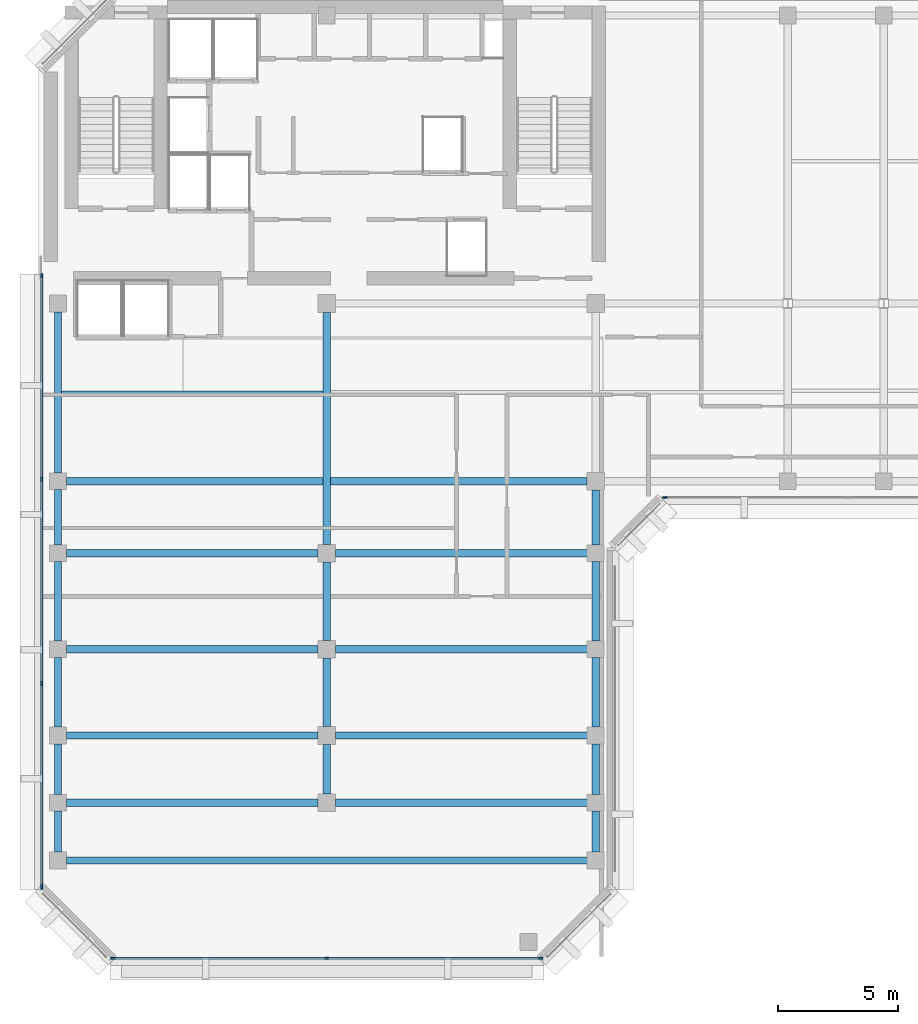
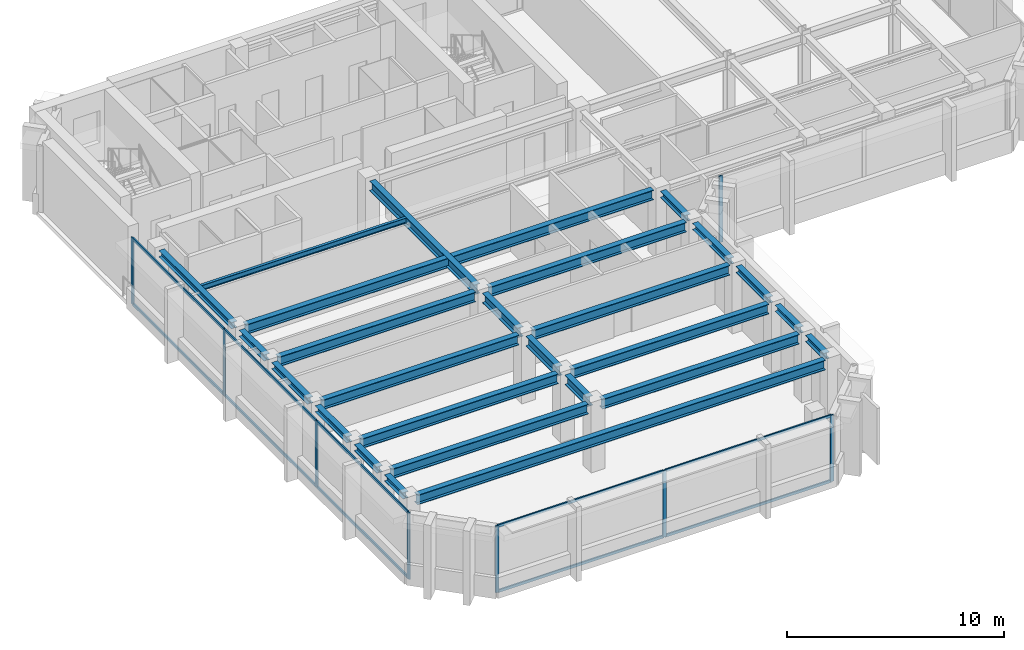
# One storey, part 2 of 11: 26 beams, 18 members, 3 elements without a shape of their own.
"""IFC4 building model written with IfcOpenShell, lengths in metres."""

from ifc_helpers import new_model, si_unit, direction, frame, origin, origin_2d, place, context, subcontext, project, spatial, rectangle, i_section, extrude, material, layer, layer_set, material_profile, profile_set, type_object, element, aggregate, save


model = new_model("IFC4")

# Units and contexts
model_context = context("Model", 3, precision=1e-05, world=origin(), true_north=direction((0.0, 1.0)))
body_context = subcontext(model_context, "Body", "Model", "MODEL_VIEW")
ifc_project = project(units=[si_unit("LENGTHUNIT", "METRE"), si_unit("AREAUNIT", "SQUARE_METRE"), si_unit("VOLUMEUNIT", "CUBIC_METRE"), si_unit("PLANEANGLEUNIT", "RADIAN"), si_unit("MASSUNIT", "GRAM", prefix="KILO")], contexts=[model_context])

# Site, building, storey
site_placement = place(None, origin())
site = spatial("IfcSite", under=ifc_project, at=site_placement, CompositionType="ELEMENT")
building_placement = place(site_placement, origin())
building = spatial("IfcBuilding", under=site, at=building_placement, Name="Kefirva Bronze Tower", CompositionType="ELEMENT")
storey_placement = place(building_placement, frame((0.0, 0.0, 319.77001953125)))
storey = spatial("IfcBuildingStorey", under=building, at=storey_placement, Name="L78", CompositionType="ELEMENT", Elevation=319.77001953125)

# Curtain wall, members
ifc_material_1 = material(Name="Bronze anodised aluminium", Category="aluminium")
ifc_layer = layer(ifc_material_1, 0.179931640625, Name="Bronze anodised aluminium")
ifc_layer_set = layer_set([ifc_layer], Name="Bronze anodised aluminium")
curtain_wall_type = type_object("IfcCurtainWallType", Name="Unitised Bronze Ribbon Curtain Wall Zone 4", PredefinedType="USERDEFINED", material=ifc_layer_set)
curtain_wall_1_placement = place(storey_placement, origin())
curtain_wall_1 = element("IfcCurtainWall", 1, at=curtain_wall_1_placement, inside=storey, type_object=curtain_wall_type, Name="L78 Curtain Wall 1", ObjectType="UNITISED CURTAIN WALL", PredefinedType="USERDEFINED")
ifc_material_profile_1 = material_profile(ifc_material_1, rectangle(XDim=0.074951171875, YDim=0.179931640625, at=origin_2d()), Name="ALU 75x180")
ifc_profile_set_1 = profile_set([ifc_material_profile_1], Name="Bronze anodised aluminium")
member_type_1 = type_object("IfcMemberType", Name="Bronze Mullion 75x180", PredefinedType="MULLION", material=ifc_profile_set_1)
member_1_placement = place(storey_placement, frame((3.092529296875, 5.919921875, 0.0), z_axis=(0.0, 0.0, 1.0), x_axis=(0.0, 1.0, 0.0)))
member_1 = element("IfcMember", 2, at=member_1_placement, type_object=member_type_1, Name="CW-04 mullion 1", PredefinedType="MULLION", context=body_context, shape_type="SweptSolid", body=[
    extrude(rectangle(XDim=0.074951171875, YDim=0.179931640625, at=origin_2d()), origin(), (0.0, 0.0, 1.0), 3.739990234375),
])
member_2_placement = place(storey_placement, frame((12.0, 5.919921875, 0.0), z_axis=(0.0, 0.0, 1.0), x_axis=(0.0, 1.0, 0.0)))
member_2 = element("IfcMember", 3, at=member_2_placement, type_object=member_type_1, Name="CW-04 mullion 2", PredefinedType="MULLION", context=body_context, shape_type="SweptSolid", body=[
    extrude(rectangle(XDim=0.074951171875, YDim=0.179931640625, at=origin_2d()), origin(), (0.0, 0.0, 1.0), 3.739990234375),
])
member_3_placement = place(storey_placement, frame((20.907470703125, 5.919921875, 0.0), z_axis=(0.0, 0.0, 1.0), x_axis=(0.0, 1.0, 0.0)))
member_3 = element("IfcMember", 4, at=member_3_placement, type_object=member_type_1, Name="CW-04 mullion 3", PredefinedType="MULLION", context=body_context, shape_type="SweptSolid", body=[
    extrude(rectangle(XDim=0.074951171875, YDim=0.179931640625, at=origin_2d()), origin(), (0.0, 0.0, 1.0), 3.739990234375),
])

# Curtain wall, member
curtain_wall_2_placement = place(storey_placement, origin())
curtain_wall_2 = element("IfcCurtainWall", 5, at=curtain_wall_2_placement, inside=storey, type_object=curtain_wall_type, Name="L78 Curtain Wall 2", ObjectType="UNITISED CURTAIN WALL", PredefinedType="USERDEFINED")
member_4_placement = place(storey_placement, frame((26.092529296875, 25.1201171875, 0.0), z_axis=(0.0, 0.0, 1.0), x_axis=(0.0, 1.0, 0.0)))
member_4 = element("IfcMember", 6, at=member_4_placement, type_object=member_type_1, Name="CW-04 mullion 1", PredefinedType="MULLION", context=body_context, shape_type="SweptSolid", body=[
    extrude(rectangle(XDim=0.074951171875, YDim=0.179931640625, at=origin_2d()), origin(), (0.0, 0.0, 1.0), 3.739990234375),
])
aggregate(curtain_wall_2, [member_4])

# Curtain wall, members
curtain_wall_3_placement = place(storey_placement, origin())
curtain_wall_3 = element("IfcCurtainWall", 7, at=curtain_wall_3_placement, inside=storey, type_object=curtain_wall_type, Name="L78 Curtain Wall 5", ObjectType="UNITISED CURTAIN WALL", PredefinedType="USERDEFINED")
member_5_placement = place(storey_placement, frame((0.1201171875, 34.357421875, 0.0), z_axis=(0.0, 0.0, 1.0), x_axis=(1.0, 0.0, 0.0)))
member_5 = element("IfcMember", 8, at=member_5_placement, type_object=member_type_1, Name="CW-04 mullion 1", PredefinedType="MULLION", context=body_context, shape_type="SweptSolid", body=[
    extrude(rectangle(XDim=0.074951171875, YDim=0.179931640625, at=origin_2d()), origin(), (0.0, 0.0, 1.0), 3.739990234375),
])
member_6_placement = place(storey_placement, frame((0.1201171875, 25.881591796875, 0.0), z_axis=(0.0, 0.0, 1.0), x_axis=(1.0, 0.0, 0.0)))
member_6 = element("IfcMember", 9, at=member_6_placement, type_object=member_type_1, Name="CW-04 mullion 2", PredefinedType="MULLION", context=body_context, shape_type="SweptSolid", body=[
    extrude(rectangle(XDim=0.074951171875, YDim=0.179931640625, at=origin_2d()), origin(), (0.0, 0.0, 1.0), 3.739990234375),
])
member_7_placement = place(storey_placement, frame((0.1201171875, 17.368408203125, 0.0), z_axis=(0.0, 0.0, 1.0), x_axis=(1.0, 0.0, 0.0)))
member_7 = element("IfcMember", 10, at=member_7_placement, type_object=member_type_1, Name="CW-04 mullion 3", PredefinedType="MULLION", context=body_context, shape_type="SweptSolid", body=[
    extrude(rectangle(XDim=0.074951171875, YDim=0.179931640625, at=origin_2d()), origin(), (0.0, 0.0, 1.0), 3.739990234375),
])
member_8_placement = place(storey_placement, frame((0.1201171875, 8.892578125, 0.0), z_axis=(0.0, 0.0, 1.0), x_axis=(1.0, 0.0, 0.0)))
member_8 = element("IfcMember", 11, at=member_8_placement, type_object=member_type_1, Name="CW-04 mullion 4", PredefinedType="MULLION", context=body_context, shape_type="SweptSolid", body=[
    extrude(rectangle(XDim=0.074951171875, YDim=0.179931640625, at=origin_2d()), origin(), (0.0, 0.0, 1.0), 3.739990234375),
])

# Member
ifc_material_profile_2 = material_profile(ifc_material_1, rectangle(XDim=0.074951171875, YDim=0.14990234375, at=origin_2d()), Name="ALU 75x150")
ifc_profile_set_2 = profile_set([ifc_material_profile_2], Name="Bronze anodised aluminium")
member_type_2 = type_object("IfcMemberType", Name="Bronze Transom 75x150", PredefinedType="USERDEFINED", material=ifc_profile_set_2)
member_9_placement = place(storey_placement, frame((3.1298828125, 5.919921875, 0.03759765625), z_axis=(1.0, 0.0, 0.0), x_axis=(0.0, 1.0, 0.0)))
member_9 = element("IfcMember", 12, at=member_9_placement, type_object=member_type_2, Name="CW-04 transom 1.1", ObjectType="TRANSOM", PredefinedType="USERDEFINED", context=body_context, shape_type="SweptSolid", body=[
    extrude(rectangle(XDim=0.074951171875, YDim=0.14990234375, at=origin_2d()), origin(), (0.0, 0.0, 1.0), 8.83251953125),
])

member_10_placement = place(storey_placement, frame((3.1298828125, 5.919921875, 3.702392578125), z_axis=(1.0, 0.0, 0.0), x_axis=(0.0, 1.0, 0.0)))
member_10 = element("IfcMember", 13, at=member_10_placement, type_object=member_type_2, Name="CW-04 transom 1.2", ObjectType="TRANSOM", PredefinedType="USERDEFINED", context=body_context, shape_type="SweptSolid", body=[
    extrude(rectangle(XDim=0.074951171875, YDim=0.14990234375, at=origin_2d()), origin(), (0.0, 0.0, 1.0), 8.83251953125),
])

member_11_placement = place(storey_placement, frame((12.03759765625, 5.919921875, 0.03759765625), z_axis=(1.0, 0.0, 0.0), x_axis=(0.0, 1.0, 0.0)))
member_11 = element("IfcMember", 14, at=member_11_placement, type_object=member_type_2, Name="CW-04 transom 2.1", ObjectType="TRANSOM", PredefinedType="USERDEFINED", context=body_context, shape_type="SweptSolid", body=[
    extrude(rectangle(XDim=0.074951171875, YDim=0.14990234375, at=origin_2d()), origin(), (0.0, 0.0, 1.0), 8.83251953125),
])

member_12_placement = place(storey_placement, frame((12.03759765625, 5.919921875, 3.702392578125), z_axis=(1.0, 0.0, 0.0), x_axis=(0.0, 1.0, 0.0)))
member_12 = element("IfcMember", 15, at=member_12_placement, type_object=member_type_2, Name="CW-04 transom 2.2", ObjectType="TRANSOM", PredefinedType="USERDEFINED", context=body_context, shape_type="SweptSolid", body=[
    extrude(rectangle(XDim=0.074951171875, YDim=0.14990234375, at=origin_2d()), origin(), (0.0, 0.0, 1.0), 8.83251953125),
])

aggregate(curtain_wall_1, [member_1, member_2, member_3, member_9, member_10, member_11, member_12])

member_13_placement = place(storey_placement, frame((0.1201171875, 34.320068359375, 0.03759765625), z_axis=(0.0, -1.0, 0.0), x_axis=(1.0, 0.0, 0.0)))
member_13 = element("IfcMember", 16, at=member_13_placement, type_object=member_type_2, Name="CW-04 transom 1.1", ObjectType="TRANSOM", PredefinedType="USERDEFINED", context=body_context, shape_type="SweptSolid", body=[
    extrude(rectangle(XDim=0.074951171875, YDim=0.14990234375, at=origin_2d()), origin(), (0.0, 0.0, 1.0), 8.40087890625),
])

member_14_placement = place(storey_placement, frame((0.1201171875, 34.320068359375, 3.702392578125), z_axis=(0.0, -1.0, 0.0), x_axis=(1.0, 0.0, 0.0)))
member_14 = element("IfcMember", 17, at=member_14_placement, type_object=member_type_2, Name="CW-04 transom 1.2", ObjectType="TRANSOM", PredefinedType="USERDEFINED", context=body_context, shape_type="SweptSolid", body=[
    extrude(rectangle(XDim=0.074951171875, YDim=0.14990234375, at=origin_2d()), origin(), (0.0, 0.0, 1.0), 8.40087890625),
])

member_15_placement = place(storey_placement, frame((0.1201171875, 25.84423828125, 0.03759765625), z_axis=(0.0, -1.0, 0.0), x_axis=(1.0, 0.0, 0.0)))
member_15 = element("IfcMember", 18, at=member_15_placement, type_object=member_type_2, Name="CW-04 transom 2.1", ObjectType="TRANSOM", PredefinedType="USERDEFINED", context=body_context, shape_type="SweptSolid", body=[
    extrude(rectangle(XDim=0.074951171875, YDim=0.14990234375, at=origin_2d()), origin(), (0.0, 0.0, 1.0), 8.4384765625),
])

member_16_placement = place(storey_placement, frame((0.1201171875, 25.84423828125, 3.702392578125), z_axis=(0.0, -1.0, 0.0), x_axis=(1.0, 0.0, 0.0)))
member_16 = element("IfcMember", 19, at=member_16_placement, type_object=member_type_2, Name="CW-04 transom 2.2", ObjectType="TRANSOM", PredefinedType="USERDEFINED", context=body_context, shape_type="SweptSolid", body=[
    extrude(rectangle(XDim=0.074951171875, YDim=0.14990234375, at=origin_2d()), origin(), (0.0, 0.0, 1.0), 8.4384765625),
])

member_17_placement = place(storey_placement, frame((0.1201171875, 17.330810546875, 0.03759765625), z_axis=(0.0, -1.0, 0.0), x_axis=(1.0, 0.0, 0.0)))
member_17 = element("IfcMember", 20, at=member_17_placement, type_object=member_type_2, Name="CW-04 transom 3.1", ObjectType="TRANSOM", PredefinedType="USERDEFINED", context=body_context, shape_type="SweptSolid", body=[
    extrude(rectangle(XDim=0.074951171875, YDim=0.14990234375, at=origin_2d()), origin(), (0.0, 0.0, 1.0), 8.40087890625),
])

member_18_placement = place(storey_placement, frame((0.1201171875, 17.330810546875, 3.702392578125), z_axis=(0.0, -1.0, 0.0), x_axis=(1.0, 0.0, 0.0)))
member_18 = element("IfcMember", 21, at=member_18_placement, type_object=member_type_2, Name="CW-04 transom 3.2", ObjectType="TRANSOM", PredefinedType="USERDEFINED", context=body_context, shape_type="SweptSolid", body=[
    extrude(rectangle(XDim=0.074951171875, YDim=0.14990234375, at=origin_2d()), origin(), (0.0, 0.0, 1.0), 8.40087890625),
])

aggregate(curtain_wall_3, [member_5, member_6, member_7, member_8, member_13, member_14, member_15, member_16, member_17, member_18])

# Beams
ifc_material_2 = material(Name="Steel S355", Category="steel")
ifc_material_profile_3 = material_profile(ifc_material_2, i_section(OverallWidth=0.14990234375, OverallDepth=0.300048828125, WebThickness=0.007080078125, FlangeThickness=0.0107421875, at=origin_2d()), Name="IPE 300")
ifc_profile_set_3 = profile_set([ifc_material_profile_3], Name="Steel S355")
beam_type_1 = type_object("IfcBeamType", Name="Steel Floor Joist IPE 300", PredefinedType="JOIST", material=ifc_profile_set_3)
beam_1_placement = place(storey_placement, frame((0.949951171875, 29.489990234375, 3.590087890625), z_axis=(1.0, 0.0, 0.0), x_axis=(0.0, 1.0, 0.0)))
element("IfcBeam", 22, at=beam_1_placement, inside=storey, type_object=beam_type_1, Name="L78 JST-L78-0-294", PredefinedType="JOIST", context=body_context, shape_type="SweptSolid", body=[
    extrude(i_section(OverallWidth=0.14990234375, OverallDepth=0.300048828125, WebThickness=0.007080078125, FlangeThickness=0.0107421875, at=origin_2d()), origin(), (0.0, 0.0, 1.0), 10.900146484375),
])
ifc_material_profile_4 = material_profile(ifc_material_2, i_section(OverallWidth=0.300048828125, OverallDepth=0.550048828125, WebThickness=0.014892578125, FlangeThickness=0.029052734375, at=origin_2d()), Name="HEB 550")
ifc_profile_set_4 = profile_set([ifc_material_profile_4], Name="Steel S355")
beam_type_2 = type_object("IfcBeamType", Name="Steel Girder HEB 550", PredefinedType="USERDEFINED", material=ifc_profile_set_4)
beam_2_placement = place(storey_placement, frame((1.14990234375, 10.0, 3.465087890625), z_axis=(1.0, 0.0, 0.0), x_axis=(0.0, 1.0, 0.0)))
element("IfcBeam", 23, at=beam_2_placement, inside=storey, type_object=beam_type_2, Name="L78 BM-L78-EW-0-100", ObjectType="GIRDER", PredefinedType="USERDEFINED", context=body_context, shape_type="SweptSolid", body=[
    extrude(i_section(OverallWidth=0.300048828125, OverallDepth=0.550048828125, WebThickness=0.014892578125, FlangeThickness=0.029052734375, at=origin_2d()), origin(), (0.0, 0.0, 1.0), 21.7001953125),
])
for number, where, z_axis, x_axis, name in (
    (24, (1.14990234375, 12.39990234375, 3.465087890625), (1.0, 0.0, 0.0), (0.0, 1.0, 0.0), "L78 BM-L78-EW-0-124"),
    (25, (12.3701171875, 12.39990234375, 3.465087890625), (1.0, 0.0, 0.0), (0.0, 1.0, 0.0), "L78 BM-L78-EW-12-124"),
    (26, (1.14990234375, 15.199951171875, 3.465087890625), (1.0, 0.0, 0.0), (0.0, 1.0, 0.0), "L78 BM-L78-EW-0-152"),
    (27, (12.3701171875, 15.199951171875, 3.465087890625), (1.0, 0.0, 0.0), (0.0, 1.0, 0.0), "L78 BM-L78-EW-12-152"),
    (28, (1.14990234375, 18.800048828125, 3.465087890625), (1.0, 0.0, 0.0), (0.0, 1.0, 0.0), "L78 BM-L78-EW-0-188"),
    (29, (12.3701171875, 18.800048828125, 3.465087890625), (1.0, 0.0, 0.0), (0.0, 1.0, 0.0), "L78 BM-L78-EW-12-188"),
    (30, (1.14990234375, 22.800048828125, 3.465087890625), (1.0, 0.0, 0.0), (0.0, 1.0, 0.0), "L78 BM-L78-EW-0-228"),
    (31, (12.3701171875, 22.800048828125, 3.465087890625), (1.0, 0.0, 0.0), (0.0, 1.0, 0.0), "L78 BM-L78-EW-12-228"),
):
    element("IfcBeam", number, at=place(storey_placement, frame(where, z_axis=z_axis, x_axis=x_axis)), inside=storey, type_object=beam_type_2, Name=name, ObjectType="GIRDER", PredefinedType="USERDEFINED", context=body_context, shape_type="SweptSolid", body=[
        extrude(i_section(OverallWidth=0.300048828125, OverallDepth=0.550048828125, WebThickness=0.014892578125, FlangeThickness=0.029052734375, at=origin_2d()), origin(), (0.0, 0.0, 1.0), 10.47998046875),
    ])
beam_3_placement = place(storey_placement, frame((1.14990234375, 25.800048828125, 3.465087890625), z_axis=(1.0, 0.0, 0.0), x_axis=(0.0, 1.0, 0.0)))
element("IfcBeam", 32, at=beam_3_placement, inside=storey, type_object=beam_type_2, Name="L78 BM-L78-EW-0-258", ObjectType="GIRDER", PredefinedType="USERDEFINED", context=body_context, shape_type="SweptSolid", body=[
    extrude(i_section(OverallWidth=0.300048828125, OverallDepth=0.550048828125, WebThickness=0.014892578125, FlangeThickness=0.029052734375, at=origin_2d()), origin(), (0.0, 0.0, 1.0), 21.68017578125),
])
beam_4_placement = place(storey_placement, frame((12.0, 12.77001953125, 3.465087890625), z_axis=(0.0, 1.0, 0.0), x_axis=(-1.0, 0.0, 0.0)))
element("IfcBeam", 33, at=beam_4_placement, inside=storey, type_object=beam_type_2, Name="L78 BM-L78-NS-120-12", ObjectType="GIRDER", PredefinedType="USERDEFINED", context=body_context, shape_type="SweptSolid", body=[
    extrude(i_section(OverallWidth=0.300048828125, OverallDepth=0.550048828125, WebThickness=0.014892578125, FlangeThickness=0.029052734375, at=origin_2d()), origin(), (0.0, 0.0, 1.0), 2.06005859375),
])
beam_5_placement = place(storey_placement, frame((12.0, 15.570068359375, 3.465087890625), z_axis=(0.0, 1.0, 0.0), x_axis=(-1.0, 0.0, 0.0)))
element("IfcBeam", 34, at=beam_5_placement, inside=storey, type_object=beam_type_2, Name="L78 BM-L78-NS-120-15", ObjectType="GIRDER", PredefinedType="USERDEFINED", context=body_context, shape_type="SweptSolid", body=[
    extrude(i_section(OverallWidth=0.300048828125, OverallDepth=0.550048828125, WebThickness=0.014892578125, FlangeThickness=0.029052734375, at=origin_2d()), origin(), (0.0, 0.0, 1.0), 2.85986328125),
])
beam_6_placement = place(storey_placement, frame((12.0, 19.169921875, 3.465087890625), z_axis=(0.0, 1.0, 0.0), x_axis=(-1.0, 0.0, 0.0)))
element("IfcBeam", 35, at=beam_6_placement, inside=storey, type_object=beam_type_2, Name="L78 BM-L78-NS-120-18", ObjectType="GIRDER", PredefinedType="USERDEFINED", context=body_context, shape_type="SweptSolid", body=[
    extrude(i_section(OverallWidth=0.300048828125, OverallDepth=0.550048828125, WebThickness=0.014892578125, FlangeThickness=0.029052734375, at=origin_2d()), origin(), (0.0, 0.0, 1.0), 3.260009765625),
])
beam_7_placement = place(storey_placement, frame((12.0, 23.169921875, 3.465087890625), z_axis=(0.0, 1.0, 0.0), x_axis=(-1.0, 0.0, 0.0)))
element("IfcBeam", 36, at=beam_7_placement, inside=storey, type_object=beam_type_2, Name="L78 BM-L78-NS-120-22", ObjectType="GIRDER", PredefinedType="USERDEFINED", context=body_context, shape_type="SweptSolid", body=[
    extrude(i_section(OverallWidth=0.300048828125, OverallDepth=0.550048828125, WebThickness=0.014892578125, FlangeThickness=0.029052734375, at=origin_2d()), origin(), (0.0, 0.0, 1.0), 9.66015625),
])
ifc_material_profile_5 = material_profile(ifc_material_2, i_section(OverallWidth=0.300048828125, OverallDepth=0.360107421875, WebThickness=0.012451171875, FlangeThickness=0.0224609375, at=origin_2d()), Name="HEB 360")
ifc_profile_set_5 = profile_set([ifc_material_profile_5], Name="Steel S355")
beam_type_3 = type_object("IfcBeamType", Name="Steel Spandrel HEB 360 Ext", PredefinedType="SPANDREL", material=ifc_profile_set_5)
beam_8_placement = place(storey_placement, frame((0.800048828125, 10.35009765625, 3.56005859375), z_axis=(0.0, 1.0, 0.0), x_axis=(-1.0, 0.0, 0.0)))
element("IfcBeam", 37, at=beam_8_placement, inside=storey, type_object=beam_type_3, Name="L78 BM-L78-NS-8-10", PredefinedType="SPANDREL", context=body_context, shape_type="SweptSolid", body=[
    extrude(i_section(OverallWidth=0.300048828125, OverallDepth=0.360107421875, WebThickness=0.012451171875, FlangeThickness=0.0224609375, at=origin_2d()), origin(), (0.0, 0.0, 1.0), 1.699951171875),
])
beam_9_placement = place(storey_placement, frame((0.800048828125, 12.75, 3.56005859375), z_axis=(0.0, 1.0, 0.0), x_axis=(-1.0, 0.0, 0.0)))
element("IfcBeam", 38, at=beam_9_placement, inside=storey, type_object=beam_type_3, Name="L78 BM-L78-NS-8-12", PredefinedType="SPANDREL", context=body_context, shape_type="SweptSolid", body=[
    extrude(i_section(OverallWidth=0.300048828125, OverallDepth=0.360107421875, WebThickness=0.012451171875, FlangeThickness=0.0224609375, at=origin_2d()), origin(), (0.0, 0.0, 1.0), 2.10009765625),
])
beam_10_placement = place(storey_placement, frame((0.800048828125, 15.550048828125, 3.56005859375), z_axis=(0.0, 1.0, 0.0), x_axis=(-1.0, 0.0, 0.0)))
element("IfcBeam", 39, at=beam_10_placement, inside=storey, type_object=beam_type_3, Name="L78 BM-L78-NS-8-15", PredefinedType="SPANDREL", context=body_context, shape_type="SweptSolid", body=[
    extrude(i_section(OverallWidth=0.300048828125, OverallDepth=0.360107421875, WebThickness=0.012451171875, FlangeThickness=0.0224609375, at=origin_2d()), origin(), (0.0, 0.0, 1.0), 2.89990234375),
])
beam_11_placement = place(storey_placement, frame((0.800048828125, 19.14990234375, 3.56005859375), z_axis=(0.0, 1.0, 0.0), x_axis=(-1.0, 0.0, 0.0)))
element("IfcBeam", 40, at=beam_11_placement, inside=storey, type_object=beam_type_3, Name="L78 BM-L78-NS-8-18", PredefinedType="SPANDREL", context=body_context, shape_type="SweptSolid", body=[
    extrude(i_section(OverallWidth=0.300048828125, OverallDepth=0.360107421875, WebThickness=0.012451171875, FlangeThickness=0.0224609375, at=origin_2d()), origin(), (0.0, 0.0, 1.0), 3.300048828125),
])
beam_12_placement = place(storey_placement, frame((0.800048828125, 23.14990234375, 3.56005859375), z_axis=(0.0, 1.0, 0.0), x_axis=(-1.0, 0.0, 0.0)))
element("IfcBeam", 41, at=beam_12_placement, inside=storey, type_object=beam_type_3, Name="L78 BM-L78-NS-8-22", PredefinedType="SPANDREL", context=body_context, shape_type="SweptSolid", body=[
    extrude(i_section(OverallWidth=0.300048828125, OverallDepth=0.360107421875, WebThickness=0.012451171875, FlangeThickness=0.0224609375, at=origin_2d()), origin(), (0.0, 0.0, 1.0), 2.300048828125),
])
beam_13_placement = place(storey_placement, frame((0.800048828125, 26.14990234375, 3.56005859375), z_axis=(0.0, 1.0, 0.0), x_axis=(-1.0, 0.0, 0.0)))
element("IfcBeam", 42, at=beam_13_placement, inside=storey, type_object=beam_type_3, Name="L78 BM-L78-NS-8-25", PredefinedType="SPANDREL", context=body_context, shape_type="SweptSolid", body=[
    extrude(i_section(OverallWidth=0.300048828125, OverallDepth=0.360107421875, WebThickness=0.012451171875, FlangeThickness=0.0224609375, at=origin_2d()), origin(), (0.0, 0.0, 1.0), 6.7001953125),
])
beam_14_placement = place(storey_placement, frame((23.199951171875, 10.35009765625, 3.56005859375), z_axis=(0.0, 1.0, 0.0), x_axis=(-1.0, 0.0, 0.0)))
element("IfcBeam", 43, at=beam_14_placement, inside=storey, type_object=beam_type_3, Name="L78 BM-L78-NS-232-10", PredefinedType="SPANDREL", context=body_context, shape_type="SweptSolid", body=[
    extrude(i_section(OverallWidth=0.300048828125, OverallDepth=0.360107421875, WebThickness=0.012451171875, FlangeThickness=0.0224609375, at=origin_2d()), origin(), (0.0, 0.0, 1.0), 1.699951171875),
])
beam_15_placement = place(storey_placement, frame((23.199951171875, 12.75, 3.56005859375), z_axis=(0.0, 1.0, 0.0), x_axis=(-1.0, 0.0, 0.0)))
element("IfcBeam", 44, at=beam_15_placement, inside=storey, type_object=beam_type_3, Name="L78 BM-L78-NS-232-12", PredefinedType="SPANDREL", context=body_context, shape_type="SweptSolid", body=[
    extrude(i_section(OverallWidth=0.300048828125, OverallDepth=0.360107421875, WebThickness=0.012451171875, FlangeThickness=0.0224609375, at=origin_2d()), origin(), (0.0, 0.0, 1.0), 2.10009765625),
])
beam_16_placement = place(storey_placement, frame((23.199951171875, 15.550048828125, 3.56005859375), z_axis=(0.0, 1.0, 0.0), x_axis=(-1.0, 0.0, 0.0)))
element("IfcBeam", 45, at=beam_16_placement, inside=storey, type_object=beam_type_3, Name="L78 BM-L78-NS-232-15", PredefinedType="SPANDREL", context=body_context, shape_type="SweptSolid", body=[
    extrude(i_section(OverallWidth=0.300048828125, OverallDepth=0.360107421875, WebThickness=0.012451171875, FlangeThickness=0.0224609375, at=origin_2d()), origin(), (0.0, 0.0, 1.0), 2.89990234375),
])
beam_17_placement = place(storey_placement, frame((23.199951171875, 19.14990234375, 3.56005859375), z_axis=(0.0, 1.0, 0.0), x_axis=(-1.0, 0.0, 0.0)))
element("IfcBeam", 46, at=beam_17_placement, inside=storey, type_object=beam_type_3, Name="L78 BM-L78-NS-232-18", PredefinedType="SPANDREL", context=body_context, shape_type="SweptSolid", body=[
    extrude(i_section(OverallWidth=0.300048828125, OverallDepth=0.360107421875, WebThickness=0.012451171875, FlangeThickness=0.0224609375, at=origin_2d()), origin(), (0.0, 0.0, 1.0), 3.300048828125),
])
beam_18_placement = place(storey_placement, frame((23.199951171875, 23.14990234375, 3.56005859375), z_axis=(0.0, 1.0, 0.0), x_axis=(-1.0, 0.0, 0.0)))
element("IfcBeam", 47, at=beam_18_placement, inside=storey, type_object=beam_type_3, Name="L78 BM-L78-NS-232-22", PredefinedType="SPANDREL", context=body_context, shape_type="SweptSolid", body=[
    extrude(i_section(OverallWidth=0.300048828125, OverallDepth=0.360107421875, WebThickness=0.012451171875, FlangeThickness=0.0224609375, at=origin_2d()), origin(), (0.0, 0.0, 1.0), 2.280029296875),
])

save(model, "model.ifc")
